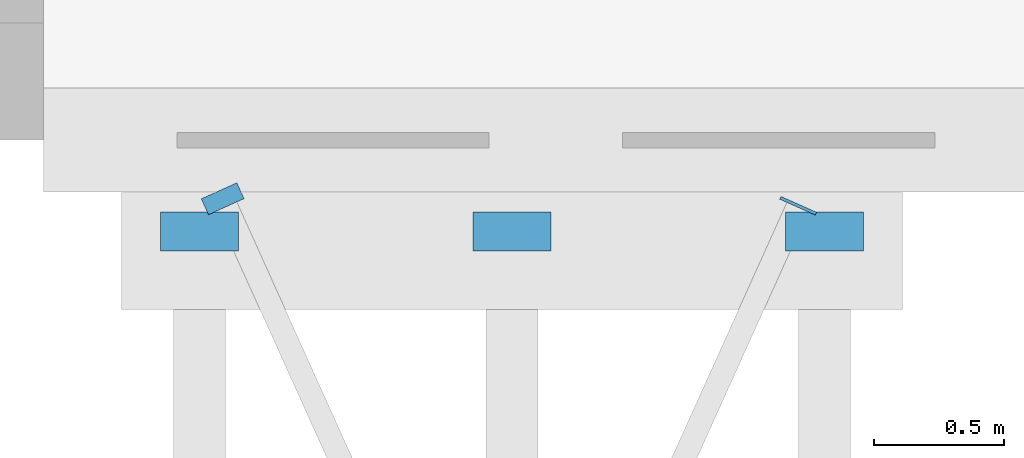
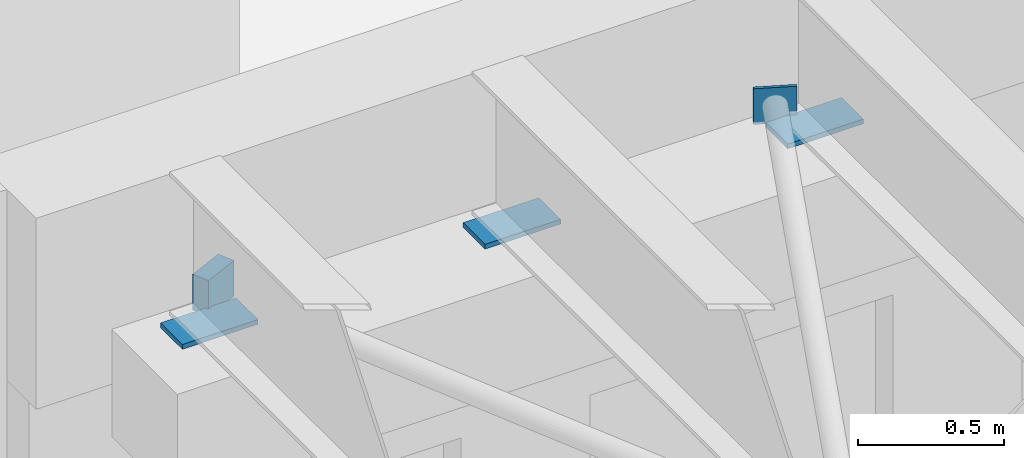
# One storey, part 82 of 103: 5 discrete accessories.
"""IFC4 building model written with IfcOpenShell, lengths in metres."""

from ifc_helpers import new_model, si_unit, direction, frame, origin, origin_2d, place, context, subcontext, project, spatial, rectangle, extrude, material, material_profile, profile_set, type_object, element, save


model = new_model("IFC4")

# Units and contexts
model_context = context("Model", 3, precision=1e-05, world=origin(), true_north=direction((0.0, 1.0)))
body_context = subcontext(model_context, "Body", "Model", "MODEL_VIEW")
ifc_project = project(units=[si_unit("LENGTHUNIT", "METRE"), si_unit("AREAUNIT", "SQUARE_METRE"), si_unit("VOLUMEUNIT", "CUBIC_METRE"), si_unit("PLANEANGLEUNIT", "RADIAN"), si_unit("MASSUNIT", "GRAM", prefix="KILO")], contexts=[model_context])

# Site, building, storey
site_placement = place(None, origin())
site = spatial("IfcSite", under=ifc_project, at=site_placement, CompositionType="ELEMENT")
building_placement = place(site_placement, origin())
building = spatial("IfcBuilding", under=site, at=building_placement, Name="Laocheng Heights Fire and Rescue Headquarters", CompositionType="ELEMENT")
storey_placement = place(building_placement, frame((0.0, 0.0, 4.199951171875)))
storey = spatial("IfcBuildingStorey", under=building, at=storey_placement, Name="L01", CompositionType="ELEMENT", Elevation=4.199951171875)

# Discrete accessories
ifc_material_1 = material(Name="Steel Q355B, dark grey painted", Category="steel")
ifc_material_profile_1 = material_profile(ifc_material_1, rectangle(XDim=0.14990234375, YDim=0.14990234375, at=origin_2d()), Name="GUSSET PLATE 150 x 150 x 12 FOR STEEL BRIDGE PLAN BRACE CHS 88.9x5")
ifc_profile_set_1 = profile_set([ifc_material_profile_1], Name="Steel Q355B, dark grey painted")
discrete_accessory_type_1 = type_object("IfcDiscreteAccessoryType", Name="GUSSET PLATE 150 x 150 x 12 FOR STEEL BRIDGE PLAN BRACE CHS 88.9x5", PredefinedType="BRACKET", material=ifc_profile_set_1)
discrete_accessory_1_placement = place(storey_placement, frame((8.896728515625, 35.74267578125, 3.4443359375), z_axis=(0.406138466053, 0.91381154862, 0.0), x_axis=(-0.91381154862, 0.406138466053, 0.0)))
element("IfcDiscreteAccessory", 1, at=discrete_accessory_1_placement, inside=storey, type_object=discrete_accessory_type_1, Name="End plate at M2-Q end 2", PredefinedType="BRACKET", context=body_context, shape_type="SweptSolid", body=[
    extrude(rectangle(XDim=0.14990234375, YDim=0.14990234375, at=origin_2d()), origin(), (0.0, 0.0, 1.0), 0.011962890625),
])
ifc_material_2 = material(Name="Steel Q355B, dark grey painted", Category="steel")
ifc_material_profile_2 = material_profile(ifc_material_2, rectangle(XDim=0.14990234375, YDim=0.14990234375, at=origin_2d()), Name="GUSSET PLATE 150 x 150 x 67 FOR STEEL BRIDGE PLAN BRACE CHS 88.9x5")
ifc_profile_set_2 = profile_set([ifc_material_profile_2], Name="Steel Q355B, dark grey painted")
discrete_accessory_type_2 = type_object("IfcDiscreteAccessoryType", Name="GUSSET PLATE 150 x 150 x 67 FOR STEEL BRIDGE PLAN BRACE CHS 88.9x5", PredefinedType="BRACKET", material=ifc_profile_set_2)
discrete_accessory_2_placement = place(storey_placement, frame((6.702392578125, 35.744384765625, 3.4443359375), z_axis=(-0.410515727106, 0.911853517731, 0.0), x_axis=(-0.911853517731, -0.410515727106, 0.0)))
element("IfcDiscreteAccessory", 2, at=discrete_accessory_2_placement, inside=storey, type_object=discrete_accessory_type_2, Name="End plate at M2-Q end 2", PredefinedType="BRACKET", context=body_context, shape_type="SweptSolid", body=[
    extrude(rectangle(XDim=0.14990234375, YDim=0.14990234375, at=origin_2d()), origin(), (0.0, 0.0, 1.0), 0.067138671875),
])
ifc_material_3 = material(Name="PTFE on stainless steel plate", Category="steel")
discrete_accessory_type_3 = type_object("IfcDiscreteAccessoryType", Name="SLIDING BEARING PAD 150 x 300 x 20", PredefinedType="SHOE", material=ifc_material_3)
for number, where, z_axis, x_axis, name in (
    (3, (6.60009765625, 35.64990234375, 3.380126953125), (0.0, 0.0, 1.0), (1.0, 0.0, 0.0), "Sliding bearing pad B1"),
    (4, (7.800048828125, 35.64990234375, 3.380126953125), (0.0, 0.0, 1.0), (1.0, 0.0, 0.0), "Sliding bearing pad B1"),
    (5, (9.0, 35.64990234375, 3.380126953125), (0.0, 0.0, 1.0), (1.0, 0.0, 0.0), "Sliding bearing pad B1"),
):
    element("IfcDiscreteAccessory", number, at=place(storey_placement, frame(where, z_axis=z_axis, x_axis=x_axis)), inside=storey, type_object=discrete_accessory_type_3, Name=name, PredefinedType="SHOE", context=body_context, shape_type="SweptSolid", body=[
        extrude(rectangle(XDim=0.300048828125, YDim=0.14990234375, at=origin_2d()), origin(), (0.0, 0.0, 1.0), 0.02001953125),
    ])

save(model, "model.ifc")
